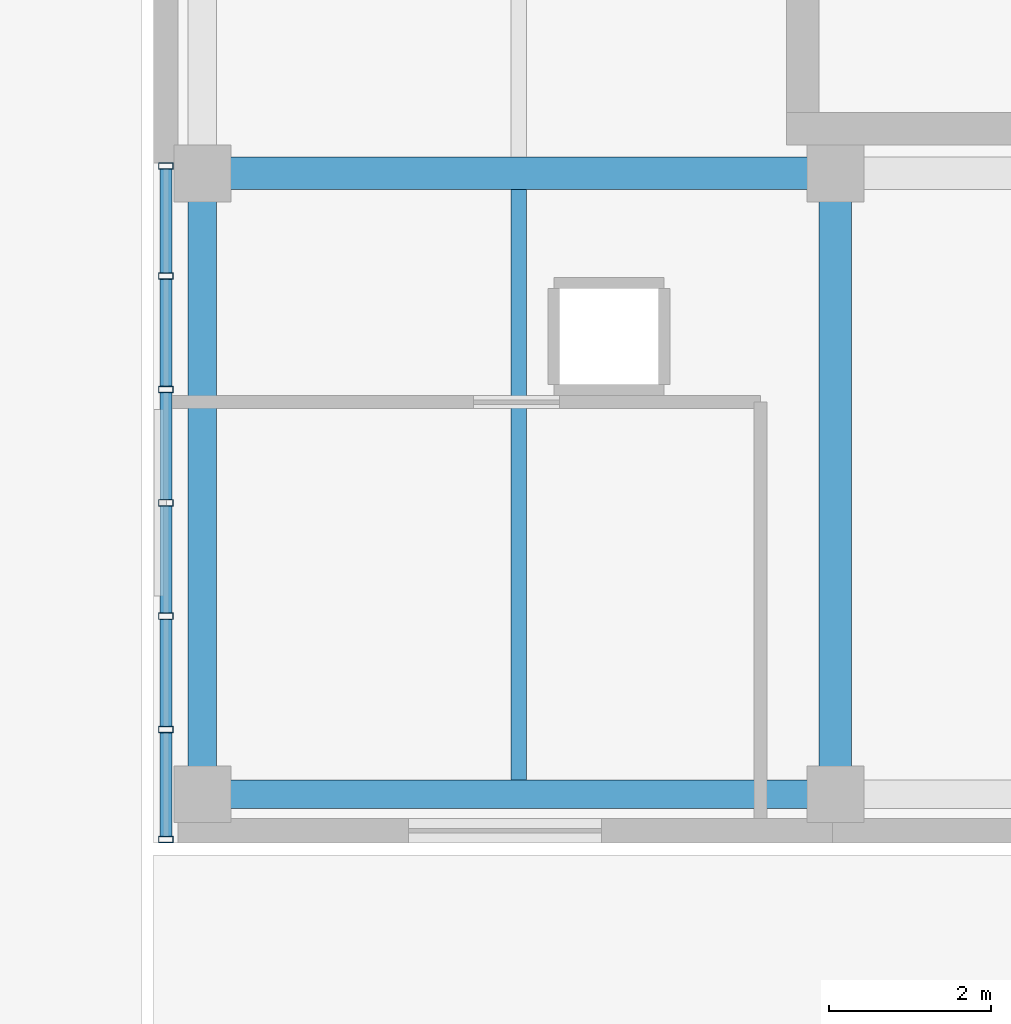
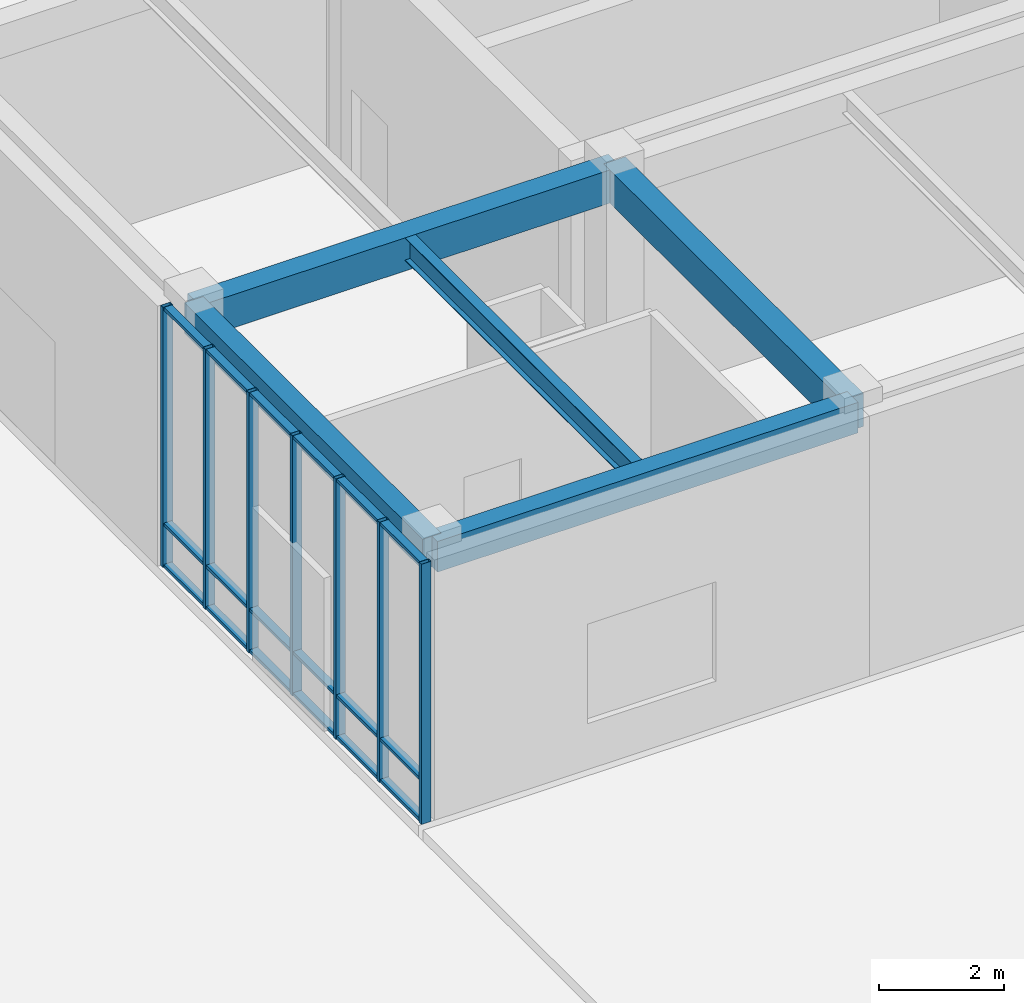
# One storey, part 27 of 122: 25 members, 5 beams, 1 element without a shape of its own.
"""IFC4 building model written with IfcOpenShell, lengths in metres."""

from ifc_helpers import new_model, si_unit, direction, frame, origin, origin_2d, place, context, subcontext, project, spatial, rectangle, hollow_rectangle, i_section, extrude, material, layer, layer_set, material_profile, profile_set, type_object, element, aggregate, save


model = new_model("IFC4")

# Units and contexts
model_context = context("Model", 3, precision=1e-05, world=origin(), true_north=direction((0.0, 1.0)))
body_context = subcontext(model_context, "Body", "Model", "MODEL_VIEW")
ifc_project = project(units=[si_unit("LENGTHUNIT", "METRE"), si_unit("AREAUNIT", "SQUARE_METRE"), si_unit("VOLUMEUNIT", "CUBIC_METRE"), si_unit("PLANEANGLEUNIT", "RADIAN"), si_unit("MASSUNIT", "GRAM", prefix="KILO")], contexts=[model_context])

# Site, building, storey
site_placement = place(None, origin())
site = spatial("IfcSite", under=ifc_project, at=site_placement, CompositionType="ELEMENT")
building_placement = place(site_placement, origin())
building = spatial("IfcBuilding", under=site, at=building_placement, Name="Zayran Congress Hotel", CompositionType="ELEMENT")
storey_placement = place(building_placement, origin())
storey = spatial("IfcBuildingStorey", under=building, at=storey_placement, Name="L00", CompositionType="ELEMENT", Elevation=0.0)

# Beams
ifc_material_1 = material(Name="Concrete C40/50", Category="concrete")
ifc_material_profile_1 = material_profile(ifc_material_1, rectangle(XDim=0.39990234375, YDim=0.64990234375, at=origin_2d()), Name="RC 400x650")
ifc_profile_set_1 = profile_set([ifc_material_profile_1], Name="Concrete C40/50")
beam_type_1 = type_object("IfcBeamType", Name="TP-BM-03", PredefinedType="BEAM", material=ifc_profile_set_1)
beam_1_placement = place(storey_placement, frame((109.800048828125, 50.800048828125, 4.77490234375), z_axis=(1.0, 0.0, 0.0), x_axis=(0.0, 1.0, 0.0)))
element("IfcBeam", 1, at=beam_1_placement, inside=storey, type_object=beam_type_1, Name="BM-V4-L00-1211", PredefinedType="BEAM", context=body_context, shape_type="SweptSolid", body=[
    extrude(rectangle(XDim=0.39990234375, YDim=0.64990234375, at=origin_2d()), origin(), (0.0, 0.0, 1.0), 7.800048828125),
])
beam_2_placement = place(storey_placement, frame((117.60009765625, 43.14990234375, 4.77490234375), z_axis=(0.0, 1.0, 0.0), x_axis=(-1.0, 0.0, 0.0)))
element("IfcBeam", 2, at=beam_2_placement, inside=storey, type_object=beam_type_1, Name="BM-V4-L00-1250", PredefinedType="BEAM", context=body_context, shape_type="SweptSolid", body=[
    extrude(rectangle(XDim=0.39990234375, YDim=0.64990234375, at=origin_2d()), origin(), (0.0, 0.0, 1.0), 7.650146484375),
])
ifc_material_profile_2 = material_profile(ifc_material_1, rectangle(XDim=0.35009765625, YDim=0.60009765625, at=origin_2d()), Name="RC 350x600")
ifc_profile_set_2 = profile_set([ifc_material_profile_2], Name="Concrete C40/50")
beam_type_2 = type_object("IfcBeamType", Name="TP-SP-01", PredefinedType="SPANDREL", material=ifc_profile_set_2)
beam_3_placement = place(storey_placement, frame((109.800048828125, 43.14990234375, 4.800048828125), z_axis=(1.0, 0.0, 0.0), x_axis=(0.0, 1.0, 0.0)))
element("IfcBeam", 3, at=beam_3_placement, inside=storey, type_object=beam_type_2, Name="BM-V4-L00-1207", PredefinedType="SPANDREL", context=body_context, shape_type="SweptSolid", body=[
    extrude(rectangle(XDim=0.35009765625, YDim=0.60009765625, at=origin_2d()), origin(), (0.0, 0.0, 1.0), 7.800048828125),
])
beam_4_placement = place(storey_placement, frame((109.800048828125, 43.14990234375, 4.800048828125), z_axis=(0.0, 1.0, 0.0), x_axis=(-1.0, 0.0, 0.0)))
element("IfcBeam", 4, at=beam_4_placement, inside=storey, type_object=beam_type_2, Name="BM-V4-L00-1242", PredefinedType="SPANDREL", context=body_context, shape_type="SweptSolid", body=[
    extrude(rectangle(XDim=0.35009765625, YDim=0.60009765625, at=origin_2d()), origin(), (0.0, 0.0, 1.0), 7.650146484375),
])
ifc_material_2 = material(Name="Steel S355", Category="steel")
ifc_material_profile_3 = material_profile(ifc_material_2, i_section(OverallWidth=0.18994140625, OverallDepth=0.449951171875, WebThickness=0.009521484375, FlangeThickness=0.0146484375, at=origin_2d()), Name="IPE 450")
ifc_profile_set_3 = profile_set([ifc_material_profile_3], Name="Steel S355")
beam_type_3 = type_object("IfcBeamType", Name="TP-JS-02", PredefinedType="JOIST", material=ifc_profile_set_3)
beam_5_placement = place(storey_placement, frame((113.699951171875, 43.324951171875, 4.875), z_axis=(0.0, 1.0, 0.0), x_axis=(-1.0, 0.0, 0.0)))
element("IfcBeam", 5, at=beam_5_placement, inside=storey, type_object=beam_type_3, Name="JST-V4-L00-1280", PredefinedType="JOIST", context=body_context, shape_type="SweptSolid", body=[
    extrude(i_section(OverallWidth=0.18994140625, OverallDepth=0.449951171875, WebThickness=0.009521484375, FlangeThickness=0.0146484375, at=origin_2d()), origin(), (0.0, 0.0, 1.0), 7.275146484375),
])

# Curtain wall, members
ifc_material_3 = material(Name="Anodised aluminium and low-E insulated glass", Category="aluminium")
ifc_layer = layer(ifc_material_3, 0.179931640625)
ifc_layer_set = layer_set([ifc_layer], Name="Anodised aluminium and low-E insulated glass")
curtain_wall_type = type_object("IfcCurtainWallType", Name="CW-V4W-L00-CW-51-8381-5100", PredefinedType="USERDEFINED", material=ifc_layer_set)
curtain_wall_placement = place(storey_placement, origin())
curtain_wall = element("IfcCurtainWall", 6, at=curtain_wall_placement, inside=storey, type_object=curtain_wall_type, Name="CW-V4W-L00-0", ObjectType="CURTAIN WALL", PredefinedType="USERDEFINED")
ifc_material_4 = material(Name="Anodised aluminium framing", Category="aluminium")
ifc_material_profile_4 = material_profile(ifc_material_4, hollow_rectangle(XDim=0.080078125, YDim=0.179931640625, WallThickness=0.0048828125, at=origin_2d()), Name="RHS 180x80x5")
ifc_profile_set_4 = profile_set([ifc_material_profile_4], Name="Anodised aluminium framing")
member_type_1 = type_object("IfcMemberType", Name="TP-CWM-01", PredefinedType="MULLION", material=ifc_profile_set_4)
member_1_placement = place(storey_placement, frame((109.35009765625, 50.89111328125, 0.0), z_axis=(0.0, 0.0, 1.0), x_axis=(0.0, 1.0, 0.0)))
member_1 = element("IfcMember", 7, at=member_1_placement, type_object=member_type_1, Name="CW-V4W-L00-0-M00", PredefinedType="MULLION", context=body_context, shape_type="SweptSolid", body=[
    extrude(hollow_rectangle(XDim=0.080078125, YDim=0.179931640625, WallThickness=0.0048828125, at=origin_2d()), origin(), (0.0, 0.0, 1.0), 5.10009765625),
])
member_2_placement = place(storey_placement, frame((109.35009765625, 49.5341796875, 0.0), z_axis=(0.0, 0.0, 1.0), x_axis=(0.0, 1.0, 0.0)))
member_2 = element("IfcMember", 8, at=member_2_placement, type_object=member_type_1, Name="CW-V4W-L00-0-M01", PredefinedType="MULLION", context=body_context, shape_type="SweptSolid", body=[
    extrude(hollow_rectangle(XDim=0.080078125, YDim=0.179931640625, WallThickness=0.0048828125, at=origin_2d()), origin(), (0.0, 0.0, 1.0), 5.10009765625),
])
member_3_placement = place(storey_placement, frame((109.35009765625, 48.13720703125, 0.0), z_axis=(0.0, 0.0, 1.0), x_axis=(0.0, 1.0, 0.0)))
member_3 = element("IfcMember", 9, at=member_3_placement, type_object=member_type_1, Name="CW-V4W-L00-0-M02", PredefinedType="MULLION", context=body_context, shape_type="SweptSolid", body=[
    extrude(hollow_rectangle(XDim=0.080078125, YDim=0.179931640625, WallThickness=0.0048828125, at=origin_2d()), origin(), (0.0, 0.0, 1.0), 5.10009765625),
])
member_4_placement = place(storey_placement, frame((109.35009765625, 46.740478515625, 0.0), z_axis=(0.0, 0.0, 1.0), x_axis=(0.0, 1.0, 0.0)))
member_4 = element("IfcMember", 10, at=member_4_placement, type_object=member_type_1, Name="CW-V4W-L00-0-M03", PredefinedType="MULLION", context=body_context, shape_type="SweptSolid", body=[
    extrude(hollow_rectangle(XDim=0.080078125, YDim=0.179931640625, WallThickness=0.0048828125, at=origin_2d()), origin(), (0.0, 0.0, 1.0), 5.10009765625),
])
member_5_placement = place(storey_placement, frame((109.35009765625, 45.34375, 0.0), z_axis=(0.0, 0.0, 1.0), x_axis=(0.0, 1.0, 0.0)))
member_5 = element("IfcMember", 11, at=member_5_placement, type_object=member_type_1, Name="CW-V4W-L00-0-M04", PredefinedType="MULLION", context=body_context, shape_type="SweptSolid", body=[
    extrude(hollow_rectangle(XDim=0.080078125, YDim=0.179931640625, WallThickness=0.0048828125, at=origin_2d()), origin(), (0.0, 0.0, 1.0), 5.10009765625),
])
member_6_placement = place(storey_placement, frame((109.35009765625, 43.94677734375, 0.0), z_axis=(0.0, 0.0, 1.0), x_axis=(0.0, 1.0, 0.0)))
member_6 = element("IfcMember", 12, at=member_6_placement, type_object=member_type_1, Name="CW-V4W-L00-0-M05", PredefinedType="MULLION", context=body_context, shape_type="SweptSolid", body=[
    extrude(hollow_rectangle(XDim=0.080078125, YDim=0.179931640625, WallThickness=0.0048828125, at=origin_2d()), origin(), (0.0, 0.0, 1.0), 5.10009765625),
])
member_7_placement = place(storey_placement, frame((109.35009765625, 42.590087890625, 0.0), z_axis=(0.0, 0.0, 1.0), x_axis=(0.0, 1.0, 0.0)))
member_7 = element("IfcMember", 13, at=member_7_placement, type_object=member_type_1, Name="CW-V4W-L00-0-M06", PredefinedType="MULLION", context=body_context, shape_type="SweptSolid", body=[
    extrude(hollow_rectangle(XDim=0.080078125, YDim=0.179931640625, WallThickness=0.0048828125, at=origin_2d()), origin(), (0.0, 0.0, 1.0), 5.10009765625),
])
ifc_material_profile_5 = material_profile(ifc_material_4, hollow_rectangle(XDim=0.06005859375, YDim=0.14990234375, WallThickness=0.00390625, at=origin_2d()), Name="RHS 150x60x4")
ifc_profile_set_5 = profile_set([ifc_material_profile_5], Name="Anodised aluminium framing")
member_type_2 = type_object("IfcMemberType", Name="TP-CWT-01", PredefinedType="USERDEFINED", material=ifc_profile_set_5)
member_8_placement = place(storey_placement, frame((109.35009765625, 50.85107421875, 0.030029296875), z_axis=(0.0, -1.0, 0.0), x_axis=(0.0, 0.0, 1.0)))
member_8 = element("IfcMember", 14, at=member_8_placement, type_object=member_type_2, Name="CW-V4W-L00-0-T00-0", ObjectType="TRANSOM", PredefinedType="USERDEFINED", context=body_context, shape_type="SweptSolid", body=[
    extrude(hollow_rectangle(XDim=0.06005859375, YDim=0.14990234375, WallThickness=0.00390625, at=origin_2d()), origin(), (0.0, 0.0, 1.0), 1.27685546875),
])
member_9_placement = place(storey_placement, frame((109.35009765625, 50.85107421875, 0.840087890625), z_axis=(0.0, -1.0, 0.0), x_axis=(0.0, 0.0, 1.0)))
member_9 = element("IfcMember", 15, at=member_9_placement, type_object=member_type_2, Name="CW-V4W-L00-0-T00-1", ObjectType="TRANSOM", PredefinedType="USERDEFINED", context=body_context, shape_type="SweptSolid", body=[
    extrude(hollow_rectangle(XDim=0.06005859375, YDim=0.14990234375, WallThickness=0.00390625, at=origin_2d()), origin(), (0.0, 0.0, 1.0), 1.27685546875),
])
member_10_placement = place(storey_placement, frame((109.35009765625, 50.85107421875, 5.070068359375), z_axis=(0.0, -1.0, 0.0), x_axis=(0.0, 0.0, 1.0)))
member_10 = element("IfcMember", 16, at=member_10_placement, type_object=member_type_2, Name="CW-V4W-L00-0-T00-2", ObjectType="TRANSOM", PredefinedType="USERDEFINED", context=body_context, shape_type="SweptSolid", body=[
    extrude(hollow_rectangle(XDim=0.06005859375, YDim=0.14990234375, WallThickness=0.00390625, at=origin_2d()), origin(), (0.0, 0.0, 1.0), 1.27685546875),
])
member_11_placement = place(storey_placement, frame((109.35009765625, 49.494140625, 0.030029296875), z_axis=(0.0, -1.0, 0.0), x_axis=(0.0, 0.0, 1.0)))
member_11 = element("IfcMember", 17, at=member_11_placement, type_object=member_type_2, Name="CW-V4W-L00-0-T01-0", ObjectType="TRANSOM", PredefinedType="USERDEFINED", context=body_context, shape_type="SweptSolid", body=[
    extrude(hollow_rectangle(XDim=0.06005859375, YDim=0.14990234375, WallThickness=0.00390625, at=origin_2d()), origin(), (0.0, 0.0, 1.0), 1.31689453125),
])
member_12_placement = place(storey_placement, frame((109.35009765625, 49.494140625, 0.840087890625), z_axis=(0.0, -1.0, 0.0), x_axis=(0.0, 0.0, 1.0)))
member_12 = element("IfcMember", 18, at=member_12_placement, type_object=member_type_2, Name="CW-V4W-L00-0-T01-1", ObjectType="TRANSOM", PredefinedType="USERDEFINED", context=body_context, shape_type="SweptSolid", body=[
    extrude(hollow_rectangle(XDim=0.06005859375, YDim=0.14990234375, WallThickness=0.00390625, at=origin_2d()), origin(), (0.0, 0.0, 1.0), 1.31689453125),
])
member_13_placement = place(storey_placement, frame((109.35009765625, 49.494140625, 5.070068359375), z_axis=(0.0, -1.0, 0.0), x_axis=(0.0, 0.0, 1.0)))
member_13 = element("IfcMember", 19, at=member_13_placement, type_object=member_type_2, Name="CW-V4W-L00-0-T01-2", ObjectType="TRANSOM", PredefinedType="USERDEFINED", context=body_context, shape_type="SweptSolid", body=[
    extrude(hollow_rectangle(XDim=0.06005859375, YDim=0.14990234375, WallThickness=0.00390625, at=origin_2d()), origin(), (0.0, 0.0, 1.0), 1.31689453125),
])
member_14_placement = place(storey_placement, frame((109.35009765625, 48.097412109375, 0.030029296875), z_axis=(0.0, -1.0, 0.0), x_axis=(0.0, 0.0, 1.0)))
member_14 = element("IfcMember", 20, at=member_14_placement, type_object=member_type_2, Name="CW-V4W-L00-0-T02-0", ObjectType="TRANSOM", PredefinedType="USERDEFINED", context=body_context, shape_type="SweptSolid", body=[
    extrude(hollow_rectangle(XDim=0.06005859375, YDim=0.14990234375, WallThickness=0.00390625, at=origin_2d()), origin(), (0.0, 0.0, 1.0), 1.31689453125),
])
member_15_placement = place(storey_placement, frame((109.35009765625, 48.097412109375, 0.840087890625), z_axis=(0.0, -1.0, 0.0), x_axis=(0.0, 0.0, 1.0)))
member_15 = element("IfcMember", 21, at=member_15_placement, type_object=member_type_2, Name="CW-V4W-L00-0-T02-1", ObjectType="TRANSOM", PredefinedType="USERDEFINED", context=body_context, shape_type="SweptSolid", body=[
    extrude(hollow_rectangle(XDim=0.06005859375, YDim=0.14990234375, WallThickness=0.00390625, at=origin_2d()), origin(), (0.0, 0.0, 1.0), 1.31689453125),
])
member_16_placement = place(storey_placement, frame((109.35009765625, 48.097412109375, 5.070068359375), z_axis=(0.0, -1.0, 0.0), x_axis=(0.0, 0.0, 1.0)))
member_16 = element("IfcMember", 22, at=member_16_placement, type_object=member_type_2, Name="CW-V4W-L00-0-T02-2", ObjectType="TRANSOM", PredefinedType="USERDEFINED", context=body_context, shape_type="SweptSolid", body=[
    extrude(hollow_rectangle(XDim=0.06005859375, YDim=0.14990234375, WallThickness=0.00390625, at=origin_2d()), origin(), (0.0, 0.0, 1.0), 1.31689453125),
])
member_17_placement = place(storey_placement, frame((109.35009765625, 46.700439453125, 0.030029296875), z_axis=(0.0, -1.0, 0.0), x_axis=(0.0, 0.0, 1.0)))
member_17 = element("IfcMember", 23, at=member_17_placement, type_object=member_type_2, Name="CW-V4W-L00-0-T03-0", ObjectType="TRANSOM", PredefinedType="USERDEFINED", context=body_context, shape_type="SweptSolid", body=[
    extrude(hollow_rectangle(XDim=0.06005859375, YDim=0.14990234375, WallThickness=0.00390625, at=origin_2d()), origin(), (0.0, 0.0, 1.0), 1.316650390625),
])
member_18_placement = place(storey_placement, frame((109.35009765625, 46.700439453125, 0.840087890625), z_axis=(0.0, -1.0, 0.0), x_axis=(0.0, 0.0, 1.0)))
member_18 = element("IfcMember", 24, at=member_18_placement, type_object=member_type_2, Name="CW-V4W-L00-0-T03-1", ObjectType="TRANSOM", PredefinedType="USERDEFINED", context=body_context, shape_type="SweptSolid", body=[
    extrude(hollow_rectangle(XDim=0.06005859375, YDim=0.14990234375, WallThickness=0.00390625, at=origin_2d()), origin(), (0.0, 0.0, 1.0), 1.316650390625),
])
member_19_placement = place(storey_placement, frame((109.35009765625, 46.700439453125, 5.070068359375), z_axis=(0.0, -1.0, 0.0), x_axis=(0.0, 0.0, 1.0)))
member_19 = element("IfcMember", 25, at=member_19_placement, type_object=member_type_2, Name="CW-V4W-L00-0-T03-2", ObjectType="TRANSOM", PredefinedType="USERDEFINED", context=body_context, shape_type="SweptSolid", body=[
    extrude(hollow_rectangle(XDim=0.06005859375, YDim=0.14990234375, WallThickness=0.00390625, at=origin_2d()), origin(), (0.0, 0.0, 1.0), 1.316650390625),
])
member_20_placement = place(storey_placement, frame((109.35009765625, 45.3037109375, 0.030029296875), z_axis=(0.0, -1.0, 0.0), x_axis=(0.0, 0.0, 1.0)))
member_20 = element("IfcMember", 26, at=member_20_placement, type_object=member_type_2, Name="CW-V4W-L00-0-T04-0", ObjectType="TRANSOM", PredefinedType="USERDEFINED", context=body_context, shape_type="SweptSolid", body=[
    extrude(hollow_rectangle(XDim=0.06005859375, YDim=0.14990234375, WallThickness=0.00390625, at=origin_2d()), origin(), (0.0, 0.0, 1.0), 1.31689453125),
])
member_21_placement = place(storey_placement, frame((109.35009765625, 45.3037109375, 0.840087890625), z_axis=(0.0, -1.0, 0.0), x_axis=(0.0, 0.0, 1.0)))
member_21 = element("IfcMember", 27, at=member_21_placement, type_object=member_type_2, Name="CW-V4W-L00-0-T04-1", ObjectType="TRANSOM", PredefinedType="USERDEFINED", context=body_context, shape_type="SweptSolid", body=[
    extrude(hollow_rectangle(XDim=0.06005859375, YDim=0.14990234375, WallThickness=0.00390625, at=origin_2d()), origin(), (0.0, 0.0, 1.0), 1.31689453125),
])
member_22_placement = place(storey_placement, frame((109.35009765625, 45.3037109375, 5.070068359375), z_axis=(0.0, -1.0, 0.0), x_axis=(0.0, 0.0, 1.0)))
member_22 = element("IfcMember", 28, at=member_22_placement, type_object=member_type_2, Name="CW-V4W-L00-0-T04-2", ObjectType="TRANSOM", PredefinedType="USERDEFINED", context=body_context, shape_type="SweptSolid", body=[
    extrude(hollow_rectangle(XDim=0.06005859375, YDim=0.14990234375, WallThickness=0.00390625, at=origin_2d()), origin(), (0.0, 0.0, 1.0), 1.31689453125),
])
member_23_placement = place(storey_placement, frame((109.35009765625, 43.90673828125, 0.030029296875), z_axis=(0.0, -1.0, 0.0), x_axis=(0.0, 0.0, 1.0)))
member_23 = element("IfcMember", 29, at=member_23_placement, type_object=member_type_2, Name="CW-V4W-L00-0-T05-0", ObjectType="TRANSOM", PredefinedType="USERDEFINED", context=body_context, shape_type="SweptSolid", body=[
    extrude(hollow_rectangle(XDim=0.06005859375, YDim=0.14990234375, WallThickness=0.00390625, at=origin_2d()), origin(), (0.0, 0.0, 1.0), 1.27685546875),
])
member_24_placement = place(storey_placement, frame((109.35009765625, 43.90673828125, 0.840087890625), z_axis=(0.0, -1.0, 0.0), x_axis=(0.0, 0.0, 1.0)))
member_24 = element("IfcMember", 30, at=member_24_placement, type_object=member_type_2, Name="CW-V4W-L00-0-T05-1", ObjectType="TRANSOM", PredefinedType="USERDEFINED", context=body_context, shape_type="SweptSolid", body=[
    extrude(hollow_rectangle(XDim=0.06005859375, YDim=0.14990234375, WallThickness=0.00390625, at=origin_2d()), origin(), (0.0, 0.0, 1.0), 1.27685546875),
])
member_25_placement = place(storey_placement, frame((109.35009765625, 43.90673828125, 5.070068359375), z_axis=(0.0, -1.0, 0.0), x_axis=(0.0, 0.0, 1.0)))
member_25 = element("IfcMember", 31, at=member_25_placement, type_object=member_type_2, Name="CW-V4W-L00-0-T05-2", ObjectType="TRANSOM", PredefinedType="USERDEFINED", context=body_context, shape_type="SweptSolid", body=[
    extrude(hollow_rectangle(XDim=0.06005859375, YDim=0.14990234375, WallThickness=0.00390625, at=origin_2d()), origin(), (0.0, 0.0, 1.0), 1.27685546875),
])
aggregate(curtain_wall, [member_1, member_2, member_3, member_4, member_5, member_6, member_7, member_8, member_9, member_10, member_11, member_12, member_13, member_14, member_15, member_16, member_17, member_18, member_19, member_20, member_21, member_22, member_23, member_24, member_25])

save(model, "model.ifc")
